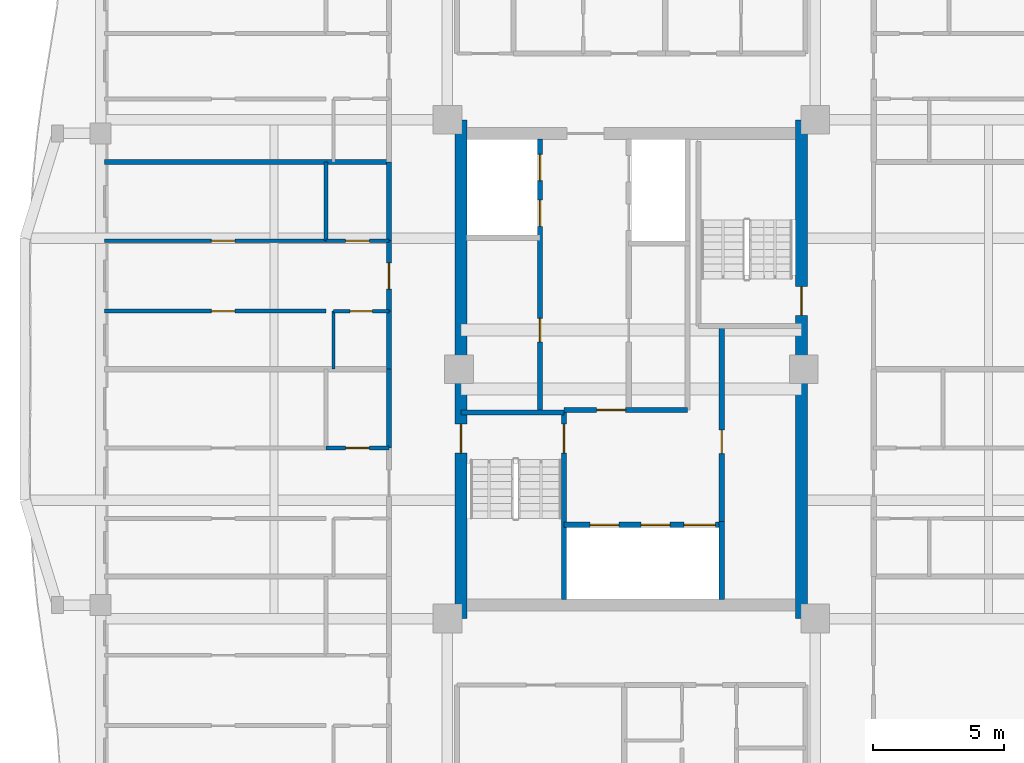
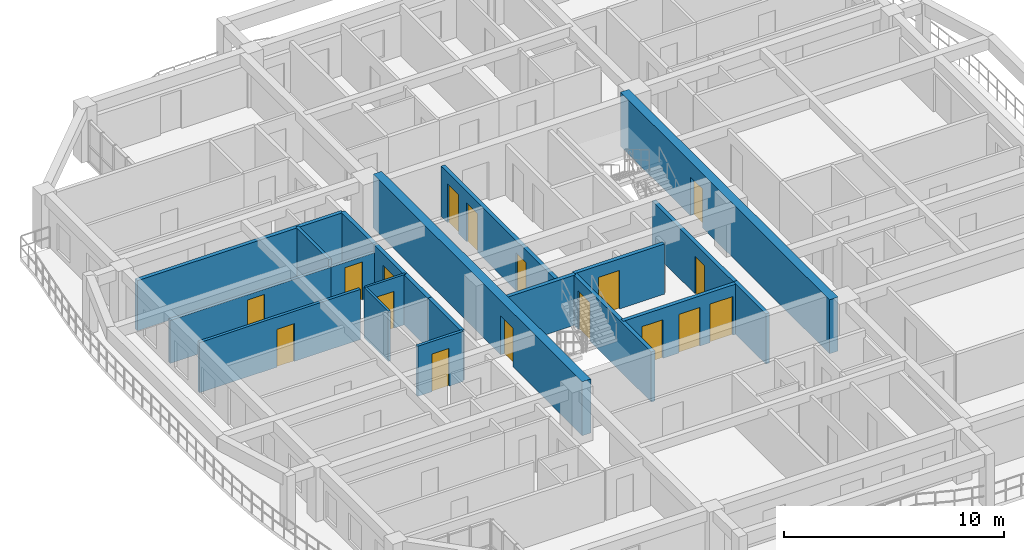
# One storey, part 12 of 21: 21 walls, 17 doors, 17 openings.
"""IFC4 building model written with IfcOpenShell, lengths in metres."""

from ifc_helpers import new_model, si_unit, direction, frame, frame_2d, origin, place, context, subcontext, project, spatial, rectangle, extrude, source, transform, mapped, material, layer, layer_set, type_object, element, fill, save


model = new_model("IFC4")

# Units and contexts
model_context = context("Model", 3, precision=1e-05, world=origin(), true_north=direction((0.0, 1.0)))
body_context = subcontext(model_context, "Body", "Model", "MODEL_VIEW")
ifc_project = project(units=[si_unit("LENGTHUNIT", "METRE"), si_unit("AREAUNIT", "SQUARE_METRE"), si_unit("VOLUMEUNIT", "CUBIC_METRE"), si_unit("PLANEANGLEUNIT", "RADIAN"), si_unit("MASSUNIT", "GRAM", prefix="KILO")], contexts=[model_context])

# Site, building, storey
site_placement = place(None, origin())
site = spatial("IfcSite", under=ifc_project, at=site_placement, CompositionType="ELEMENT")
building_placement = place(site_placement, origin())
building = spatial("IfcBuilding", under=site, at=building_placement, Name="Saelheon Loggia Tower", CompositionType="ELEMENT")
storey_placement = place(building_placement, frame((0.0, 0.0, 186.699951171875)))
storey = spatial("IfcBuildingStorey", under=building, at=storey_placement, Name="L58", CompositionType="ELEMENT", Elevation=186.699951171875)

# Wall, opening, door
ifc_material_1 = material(Name="Concrete C45/55", Category="concrete")
ifc_layer_1 = layer(ifc_material_1, 0.449951171875)
ifc_layer_set_1 = layer_set([ifc_layer_1], Name="Concrete C45/55")
wall_type_1 = type_object("IfcWallType", Name="Wall_CoreShear_450", PredefinedType="SHEAR", material=ifc_layer_set_1)
wall_1_placement = place(storey_placement, frame((31.5, 17.47998046875, 0.0), z_axis=(0.0, 0.0, 1.0), x_axis=(0.0, 1.0, 0.0)))
wall_1 = element("IfcWall", 1, at=wall_1_placement, inside=storey, type_object=wall_type_1, Name="L58 Core Shear Wall West", PredefinedType="SHEAR", context=body_context, shape_type="SweptSolid", body=[
    extrude(rectangle(XDim=19.0400390625, YDim=0.449951171875, at=frame_2d((9.52001953125, 0.0))), origin(), (0.0, 0.0, 1.0), 3.0),
])
opening_1_placement = place(wall_1_placement, frame((6.320068359375, 0.0, 0.0)))
opening_1 = element("IfcOpeningElement", 2, at=opening_1_placement, cuts=wall_1, Name="Opening D-FD2", PredefinedType="OPENING", context=body_context, shape_type="SweptSolid", body=[
    extrude(rectangle(XDim=1.10009765625, YDim=2.14990234375, at=frame_2d((0.550048828125, 1.074951171875))), frame((0.0, 0.237060546875, 0.0), z_axis=(0.0, -1.0, 0.0), x_axis=(1.0, 0.0, 0.0)), (0.0, 0.0, 1.0), 0.473876953125),
])
ifc_material_2 = material(Name="Galvanised Steel Fire Door", Category="steel")
door_type_1 = type_object("IfcDoorType", Name="Door_Fire_FD60_1100", OperationType="NOTDEFINED", PredefinedType="DOOR", material=ifc_material_2)
shared_shape_1 = source(origin(), body_context, "Body", "SweptSolid", [
    extrude(rectangle(XDim=1.10009765625, YDim=2.14990234375, at=frame_2d((0.550048828125, 1.074951171875))), frame((0.0, 0.02490234375, 0.0), z_axis=(0.0, -1.0, 0.0), x_axis=(1.0, 0.0, 0.0)), (0.0, 0.0, 1.0), 0.050048828125),
])
door_1_placement = place(opening_1_placement, origin())
door_1 = element("IfcDoor", 3, at=door_1_placement, inside=storey, type_object=door_type_1, Name="L58 Stair ST1 Corridor Door", OperationType="SINGLE_SWING_LEFT", OverallHeight=2.14990234375, OverallWidth=1.10009765625, PredefinedType="DOOR", context=body_context, shape_type="MappedRepresentation", body=[
    mapped(shared_shape_1, transform((0.0, 0.0, 0.0), scale=1.0)),
])
fill(opening_1, door_1)

wall_2_placement = place(storey_placement, frame((44.5, 17.47998046875, 0.0), z_axis=(0.0, 0.0, 1.0), x_axis=(0.0, 1.0, 0.0)))
wall_2 = element("IfcWall", 4, at=wall_2_placement, inside=storey, type_object=wall_type_1, Name="L58 Core Shear Wall East", PredefinedType="SHEAR", context=body_context, shape_type="SweptSolid", body=[
    extrude(rectangle(XDim=19.0400390625, YDim=0.449951171875, at=frame_2d((9.52001953125, 0.0))), origin(), (0.0, 0.0, 1.0), 3.0),
])
opening_2_placement = place(wall_2_placement, frame((12.670166015625, 0.0, 0.0), z_axis=(0.0, 0.0, 1.0), x_axis=(-1.0, 0.0, 0.0)))
opening_2 = element("IfcOpeningElement", 5, at=opening_2_placement, cuts=wall_2, Name="Opening D-FD2", PredefinedType="OPENING", context=body_context, shape_type="SweptSolid", body=[
    extrude(rectangle(XDim=1.10009765625, YDim=2.14990234375, at=frame_2d((0.550048828125, 1.074951171875))), frame((0.0, 0.237060546875, 0.0), z_axis=(0.0, -1.0, 0.0), x_axis=(1.0, 0.0, 0.0)), (0.0, 0.0, 1.0), 0.473876953125),
])
door_2_placement = place(opening_2_placement, origin())
door_2 = element("IfcDoor", 6, at=door_2_placement, inside=storey, type_object=door_type_1, Name="L58 Stair ST2 Corridor Door", OperationType="SINGLE_SWING_RIGHT", OverallHeight=2.14990234375, OverallWidth=1.10009765625, PredefinedType="DOOR", context=body_context, shape_type="MappedRepresentation", body=[
    mapped(shared_shape_1, transform((0.0, 0.0, 0.0), scale=1.0)),
])
fill(opening_2, door_2)

ifc_material_3 = material(Name="Lightweight Autoclaved Aerated Concrete Block and Acoustic Gypsum", Category="concrete")
ifc_layer_2 = layer(ifc_material_3, 0.14990234375)
ifc_layer_set_2 = layer_set([ifc_layer_2], Name="Lightweight Autoclaved Aerated Concrete Block and Acoustic Gypsum")
wall_type_2 = type_object("IfcWallType", Name="Wall_Part_150", PredefinedType="PARTITIONING", material=ifc_layer_set_2)
wall_3_placement = place(storey_placement, frame((28.75, 23.994140625, 0.0), z_axis=(0.0, 0.0, 1.0), x_axis=(-1.0, 0.0, 0.0)))
wall_3 = element("IfcWall", 7, at=wall_3_placement, inside=storey, type_object=wall_type_2, Name="L58 W Partition U20", PredefinedType="PARTITIONING", context=body_context, shape_type="SweptSolid", body=[
    extrude(rectangle(XDim=2.39990234375, YDim=0.14990234375, at=frame_2d((1.199951171875, 0.0))), origin(), (0.0, 0.0, 1.0), 2.7900390625),
])
opening_3_placement = place(wall_3_placement, frame((0.75, 0.0, 0.0)))
opening_3 = element("IfcOpeningElement", 8, at=opening_3_placement, cuts=wall_3, Name="Opening D-IN2", PredefinedType="OPENING", context=body_context, shape_type="SweptSolid", body=[
    extrude(rectangle(XDim=0.89990234375, YDim=2.10009765625, at=frame_2d((0.449951171875, 1.050048828125))), frame((0.0, 0.0869140625, 0.0), z_axis=(0.0, -1.0, 0.0), x_axis=(1.0, 0.0, 0.0)), (0.0, 0.0, 1.0), 0.173828125),
])
ifc_material_4 = material(Name="Engineered Oak Flush Door", Category="timber")
door_type_2 = type_object("IfcDoorType", Name="Door_Int_900", OperationType="NOTDEFINED", PredefinedType="DOOR", material=ifc_material_4)
shared_shape_2 = source(origin(), body_context, "Body", "SweptSolid", [
    extrude(rectangle(XDim=0.89990234375, YDim=2.10009765625, at=frame_2d((0.449951171875, 1.050048828125))), frame((0.0, 0.02490234375, 0.0), z_axis=(0.0, -1.0, 0.0), x_axis=(1.0, 0.0, 0.0)), (0.0, 0.0, 1.0), 0.050048828125),
])
door_3_placement = place(opening_3_placement, origin())
door_3 = element("IfcDoor", 9, at=door_3_placement, inside=storey, type_object=door_type_2, Name="Unit U05 Dressing Closet Door", OperationType="SINGLE_SWING_RIGHT", OverallHeight=2.10009765625, OverallWidth=0.89990234375, PredefinedType="DOOR", context=body_context, shape_type="MappedRepresentation", body=[
    mapped(shared_shape_2, transform((0.0, 0.0, 0.0), scale=1.0)),
])
fill(opening_3, door_3)

# Wall
wall_4_placement = place(storey_placement, frame((26.35009765625, 31.904296875, 0.0), z_axis=(0.0, 0.0, 1.0), x_axis=(0.0, 1.0, 0.0)))
element("IfcWall", 10, at=wall_4_placement, inside=storey, type_object=wall_type_2, Name="L58 W Partition V27", PredefinedType="PARTITIONING", context=body_context, shape_type="SweptSolid", body=[
    extrude(rectangle(XDim=3.005615234375, YDim=0.14990234375, at=frame_2d((1.5029296875, 0.0))), origin(), (0.0, 0.0, 1.0), 2.7900390625),
])

# Wall, opening, door
wall_5_placement = place(storey_placement, frame((26.35009765625, 29.21484375, 0.0), z_axis=(0.0, 0.0, 1.0), x_axis=(-1.0, 0.0, 0.0)))
wall_5 = element("IfcWall", 11, at=wall_5_placement, inside=storey, type_object=wall_type_2, Name="L58 W Partition U29", PredefinedType="PARTITIONING", context=body_context, shape_type="SweptSolid", body=[
    extrude(rectangle(XDim=8.4501953125, YDim=0.14990234375, at=frame_2d((4.22509765625, 0.0))), origin(), (0.0, 0.0, 1.0), 2.7900390625),
])
opening_4_placement = place(wall_5_placement, frame((3.48046875, 0.0, 0.0)))
opening_4 = element("IfcOpeningElement", 12, at=opening_4_placement, cuts=wall_5, Name="Opening D-IN2", PredefinedType="OPENING", context=body_context, shape_type="SweptSolid", body=[
    extrude(rectangle(XDim=0.89990234375, YDim=2.10009765625, at=frame_2d((0.449951171875, 1.050048828125))), frame((0.0, 0.0869140625, 0.0), z_axis=(0.0, -1.0, 0.0), x_axis=(1.0, 0.0, 0.0)), (0.0, 0.0, 1.0), 0.173828125),
])
door_4_placement = place(opening_4_placement, origin())
door_4 = element("IfcDoor", 13, at=door_4_placement, inside=storey, type_object=door_type_2, Name="Unit U06 Kitchen Door", OperationType="SINGLE_SWING_RIGHT", OverallHeight=2.10009765625, OverallWidth=0.89990234375, PredefinedType="DOOR", context=body_context, shape_type="MappedRepresentation", body=[
    mapped(shared_shape_2, transform((0.0, 0.0, 0.0), scale=1.0)),
])
fill(opening_4, door_4)

wall_6_placement = place(storey_placement, frame((28.75, 31.904296875, 0.0), z_axis=(0.0, 0.0, 1.0), x_axis=(-1.0, 0.0, 0.0)))
wall_6 = element("IfcWall", 14, at=wall_6_placement, inside=storey, type_object=wall_type_2, Name="L58 W Partition U30", PredefinedType="PARTITIONING", context=body_context, shape_type="SweptSolid", body=[
    extrude(rectangle(XDim=2.39990234375, YDim=0.14990234375, at=frame_2d((1.199951171875, 0.0))), origin(), (0.0, 0.0, 1.0), 2.39013671875),
])
opening_5_placement = place(wall_6_placement, frame((0.75, 0.0, 0.0)))
opening_5 = element("IfcOpeningElement", 15, at=opening_5_placement, cuts=wall_6, Name="Opening D-IN2", PredefinedType="OPENING", context=body_context, shape_type="SweptSolid", body=[
    extrude(rectangle(XDim=0.89990234375, YDim=2.10009765625, at=frame_2d((0.449951171875, 1.050048828125))), frame((0.0, 0.0869140625, 0.0), z_axis=(0.0, -1.0, 0.0), x_axis=(1.0, 0.0, 0.0)), (0.0, 0.0, 1.0), 0.173828125),
])
door_5_placement = place(opening_5_placement, origin())
door_5 = element("IfcDoor", 16, at=door_5_placement, inside=storey, type_object=door_type_2, Name="Unit U06 Dressing Closet Door", OperationType="SINGLE_SWING_LEFT", OverallHeight=2.10009765625, OverallWidth=0.89990234375, PredefinedType="DOOR", context=body_context, shape_type="MappedRepresentation", body=[
    mapped(shared_shape_2, transform((0.0, 0.0, 0.0), scale=1.0)),
])
fill(opening_5, door_5)

wall_7_placement = place(storey_placement, frame((26.35009765625, 31.904296875, 0.0), z_axis=(0.0, 0.0, 1.0), x_axis=(-1.0, 0.0, 0.0)))
wall_7 = element("IfcWall", 17, at=wall_7_placement, inside=storey, type_object=wall_type_2, Name="L58 W Partition U31", PredefinedType="PARTITIONING", context=body_context, shape_type="SweptSolid", body=[
    extrude(rectangle(XDim=8.4501953125, YDim=0.14990234375, at=frame_2d((4.22509765625, 0.0))), origin(), (0.0, 0.0, 1.0), 2.39013671875),
])
opening_6_placement = place(wall_7_placement, frame((3.48046875, 0.0, 0.0)))
opening_6 = element("IfcOpeningElement", 18, at=opening_6_placement, cuts=wall_7, Name="Opening D-IN2", PredefinedType="OPENING", context=body_context, shape_type="SweptSolid", body=[
    extrude(rectangle(XDim=0.89990234375, YDim=2.10009765625, at=frame_2d((0.449951171875, 1.050048828125))), frame((0.0, 0.0869140625, 0.0), z_axis=(0.0, -1.0, 0.0), x_axis=(1.0, 0.0, 0.0)), (0.0, 0.0, 1.0), 0.173828125),
])
door_6_placement = place(opening_6_placement, origin())
door_6 = element("IfcDoor", 19, at=door_6_placement, inside=storey, type_object=door_type_2, Name="Unit U06 Bedroom 1 Door", OperationType="SINGLE_SWING_RIGHT", OverallHeight=2.10009765625, OverallWidth=0.89990234375, PredefinedType="DOOR", context=body_context, shape_type="MappedRepresentation", body=[
    mapped(shared_shape_2, transform((0.0, 0.0, 0.0), scale=1.0)),
])
fill(opening_6, door_6)

# Walls
ifc_material_5 = material(Name="Double Acoustic Stud and Fireboard Partition", Category="gypsum")
ifc_layer_3 = layer(ifc_material_5, 0.199951171875)
ifc_layer_set_3 = layer_set([ifc_layer_3], Name="Double Acoustic Stud and Fireboard Partition")
wall_type_3 = type_object("IfcWallType", Name="Wall_Party_200", PredefinedType="PARTITIONING", material=ifc_layer_set_3)
wall_8_placement = place(storey_placement, frame((28.75, 23.994140625, 0.0), z_axis=(0.0, 0.0, 1.0), x_axis=(0.0, 1.0, 0.0)))
element("IfcWall", 20, at=wall_8_placement, inside=storey, type_object=wall_type_3, Name="L58 W Partition V15", PredefinedType="PARTITIONING", context=body_context, shape_type="SweptSolid", body=[
    extrude(rectangle(XDim=3.005859375, YDim=0.199951171875, at=frame_2d((1.5029296875, 0.0))), origin(), (0.0, 0.0, 1.0), 2.7900390625),
])
wall_9_placement = place(storey_placement, frame((28.75, 27.0, 0.0), z_axis=(0.0, 0.0, 1.0), x_axis=(0.0, 1.0, 0.0)))
element("IfcWall", 21, at=wall_9_placement, inside=storey, type_object=wall_type_3, Name="L58 W Partition V23", PredefinedType="PARTITIONING", context=body_context, shape_type="SweptSolid", body=[
    extrude(rectangle(XDim=2.21484375, YDim=0.199951171875, at=frame_2d((1.107421875, 0.0))), origin(), (0.0, 0.0, 1.0), 2.7900390625),
])

# Wall, opening, door
wall_10_placement = place(storey_placement, frame((28.75, 29.21484375, 0.0), z_axis=(0.0, 0.0, 1.0), x_axis=(0.0, 1.0, 0.0)))
wall_10 = element("IfcWall", 22, at=wall_10_placement, inside=storey, type_object=wall_type_3, Name="L58 W Partition V24", PredefinedType="PARTITIONING", context=body_context, shape_type="SweptSolid", body=[
    extrude(rectangle(XDim=2.689453125, YDim=0.199951171875, at=frame_2d((1.3447265625, 0.0))), origin(), (0.0, 0.0, 1.0), 2.7900390625),
])
opening_7_placement = place(wall_10_placement, frame((0.8447265625, 0.0, 0.0)))
opening_7 = element("IfcOpeningElement", 23, at=opening_7_placement, cuts=wall_10, Name="Opening D-FD1", PredefinedType="OPENING", context=body_context, shape_type="SweptSolid", body=[
    extrude(rectangle(XDim=1.0, YDim=2.14990234375, at=frame_2d((0.5, 1.074951171875))), frame((0.0, 0.112060546875, 0.0), z_axis=(0.0, -1.0, 0.0), x_axis=(1.0, 0.0, 0.0)), (0.0, 0.0, 1.0), 0.223876953125),
])
ifc_material_6 = material(Name="Fire-Rated Engineered Timber Entrance Door", Category="wood")
door_type_3 = type_object("IfcDoorType", Name="Door_Flat_FD30S", OperationType="NOTDEFINED", PredefinedType="DOOR", material=ifc_material_6)
shared_shape_3 = source(origin(), body_context, "Body", "SweptSolid", [
    extrude(rectangle(XDim=1.0, YDim=2.14990234375, at=frame_2d((0.5, 1.074951171875))), frame((0.0, 0.02490234375, 0.0), z_axis=(0.0, -1.0, 0.0), x_axis=(1.0, 0.0, 0.0)), (0.0, 0.0, 1.0), 0.050048828125),
])
door_7_placement = place(opening_7_placement, origin())
door_7 = element("IfcDoor", 24, at=door_7_placement, inside=storey, type_object=door_type_3, Name="Unit U06 Entrance Door", OperationType="SINGLE_SWING_RIGHT", OverallHeight=2.14990234375, OverallWidth=1.0, PredefinedType="DOOR", context=body_context, shape_type="MappedRepresentation", body=[
    mapped(shared_shape_3, transform((0.0, 0.0, 0.0), scale=1.0)),
])
fill(opening_7, door_7)

# Walls
wall_11_placement = place(storey_placement, frame((28.75, 31.904296875, 0.0), z_axis=(0.0, 0.0, 1.0), x_axis=(0.0, 1.0, 0.0)))
element("IfcWall", 25, at=wall_11_placement, inside=storey, type_object=wall_type_3, Name="L58 W Partition V25", PredefinedType="PARTITIONING", context=body_context, shape_type="SweptSolid", body=[
    extrude(rectangle(XDim=3.005615234375, YDim=0.199951171875, at=frame_2d((1.5029296875, 0.0))), origin(), (0.0, 0.0, 1.0), 2.7900390625),
])
wall_12_placement = place(storey_placement, frame((28.75, 34.909912109375, 0.0), z_axis=(0.0, 0.0, 1.0), x_axis=(-1.0, 0.0, 0.0)))
element("IfcWall", 26, at=wall_12_placement, inside=storey, type_object=wall_type_3, Name="L58 W Partition U32", PredefinedType="PARTITIONING", context=body_context, shape_type="SweptSolid", body=[
    extrude(rectangle(XDim=10.85009765625, YDim=0.199951171875, at=frame_2d((5.425048828125, 0.0))), origin(), (0.0, 0.0, 1.0), 2.7900390625),
])
ifc_material_7 = material(Name="Concrete C40/50", Category="concrete")
ifc_layer_4 = layer(ifc_material_7, 0.199951171875)
ifc_layer_set_4 = layer_set([ifc_layer_4], Name="Concrete C40/50")
wall_type_4 = type_object("IfcWallType", Name="Wall_Shaft_200", PredefinedType="PARTITIONING", material=ifc_layer_set_4)
wall_13_placement = place(storey_placement, frame((41.449951171875, 18.219970703125, 0.0), z_axis=(0.0, 0.0, 1.0), x_axis=(0.0, 1.0, 0.0)))
element("IfcWall", 27, at=wall_13_placement, inside=storey, type_object=wall_type_4, Name="CW-INT-L58-BOH-W0", PredefinedType="PARTITIONING", context=body_context, shape_type="SweptSolid", body=[
    extrude(rectangle(XDim=2.9599609375, YDim=0.199951171875, at=frame_2d((1.47998046875, 0.0))), origin(), (0.0, 0.0, 1.0), 2.7900390625),
])

# Wall, opening, door
wall_14_placement = place(storey_placement, frame((41.449951171875, 21.179931640625, 0.0), z_axis=(0.0, 0.0, 1.0), x_axis=(0.0, 1.0, 0.0)))
wall_14 = element("IfcWall", 28, at=wall_14_placement, inside=storey, type_object=wall_type_4, Name="CW-INT-L58-BOH-W1", PredefinedType="PARTITIONING", context=body_context, shape_type="SweptSolid", body=[
    extrude(rectangle(XDim=7.420166015625, YDim=0.199951171875, at=frame_2d((3.7099609375, 0.0))), origin(), (0.0, 0.0, 1.0), 2.7900390625),
])
opening_8_placement = place(wall_14_placement, frame((2.60009765625, 0.0, 0.0)))
opening_8 = element("IfcOpeningElement", 29, at=opening_8_placement, cuts=wall_14, Name="Opening D-RS1", PredefinedType="OPENING", context=body_context, shape_type="SweptSolid", body=[
    extrude(rectangle(XDim=0.89990234375, YDim=2.10009765625, at=frame_2d((0.449951171875, 1.050048828125))), frame((0.0, 0.112060546875, 0.0), z_axis=(0.0, -1.0, 0.0), x_axis=(1.0, 0.0, 0.0)), (0.0, 0.0, 1.0), 0.223876953125),
])
ifc_material_8 = material(Name="Galvanised Steel Riser Access Door", Category="steel")
door_type_4 = type_object("IfcDoorType", Name="Door_Riser_FD60", OperationType="NOTDEFINED", PredefinedType="DOOR", material=ifc_material_8)
door_8_placement = place(opening_8_placement, origin())
door_8 = element("IfcDoor", 30, at=door_8_placement, inside=storey, type_object=door_type_4, Name="L58 Core Service Store Door", OperationType="SINGLE_SWING_RIGHT", OverallHeight=2.10009765625, OverallWidth=0.89990234375, PredefinedType="DOOR", context=body_context, shape_type="MappedRepresentation", body=[
    mapped(shared_shape_2, transform((0.0, 0.0, 0.0), scale=1.0)),
])
fill(opening_8, door_8)

# Wall, openings, doors
wall_15_placement = place(storey_placement, frame((35.429931640625, 21.06005859375, 0.0), z_axis=(0.0, 0.0, 1.0), x_axis=(1.0, 0.0, 0.0)))
wall_15 = element("IfcWall", 31, at=wall_15_placement, inside=storey, type_object=wall_type_4, Name="L58 Firefighting Lift Shaft Front Wall", PredefinedType="PARTITIONING", context=body_context, shape_type="SweptSolid", body=[
    extrude(rectangle(XDim=6.02001953125, YDim=0.199951171875, at=frame_2d((3.010009765625, 0.0))), origin(), (0.0, 0.0, 1.0), 2.7900390625),
])
opening_9_placement = place(wall_15_placement, frame((1.0, 0.0, 0.0)))
opening_9 = element("IfcOpeningElement", 32, at=opening_9_placement, cuts=wall_15, Name="Opening LD2", PredefinedType="OPENING", context=body_context, shape_type="SweptSolid", body=[
    extrude(rectangle(XDim=1.10009765625, YDim=2.14990234375, at=frame_2d((0.550048828125, 1.074951171875))), frame((0.0, 0.112060546875, 0.0), z_axis=(0.0, -1.0, 0.0), x_axis=(1.0, 0.0, 0.0)), (0.0, 0.0, 1.0), 0.223876953125),
])
opening_10_placement = place(wall_15_placement, frame((2.949951171875, 0.0, 0.0)))
opening_10 = element("IfcOpeningElement", 33, at=opening_10_placement, cuts=wall_15, Name="Opening LD2", PredefinedType="OPENING", context=body_context, shape_type="SweptSolid", body=[
    extrude(rectangle(XDim=1.10009765625, YDim=2.14990234375, at=frame_2d((0.550048828125, 1.074951171875))), frame((0.0, 0.112060546875, 0.0), z_axis=(0.0, -1.0, 0.0), x_axis=(1.0, 0.0, 0.0)), (0.0, 0.0, 1.0), 0.223876953125),
])
opening_11_placement = place(wall_15_placement, frame((4.580078125, 0.0, 0.0)))
opening_11 = element("IfcOpeningElement", 34, at=opening_11_placement, cuts=wall_15, Name="Opening LD3", PredefinedType="OPENING", context=body_context, shape_type="SweptSolid", body=[
    extrude(rectangle(XDim=1.199951171875, YDim=2.14990234375, at=frame_2d((0.60009765625, 1.074951171875))), frame((0.0, 0.112060546875, 0.0), z_axis=(0.0, -1.0, 0.0), x_axis=(1.0, 0.0, 0.0)), (0.0, 0.0, 1.0), 0.223876953125),
])
ifc_material_9 = material(Name="Firefighting Stainless Steel 316 Landing Door", Category="steel")
door_type_5 = type_object("IfcDoorType", Name="Door_Lift_LD2", OperationType="DOUBLE_DOOR_SLIDING", PredefinedType="DOOR", material=ifc_material_9)
door_9_placement = place(opening_9_placement, origin())
door_9 = element("IfcDoor", 35, at=door_9_placement, inside=storey, type_object=door_type_5, Name="L58 FF1 Landing Door", OperationType="DOUBLE_DOOR_SLIDING", OverallHeight=2.14990234375, OverallWidth=1.10009765625, PredefinedType="DOOR", context=body_context, shape_type="MappedRepresentation", body=[
    mapped(shared_shape_1, transform((0.0, 0.0, 0.0), scale=1.0)),
])
fill(opening_9, door_9)
door_10_placement = place(opening_10_placement, origin())
door_10 = element("IfcDoor", 36, at=door_10_placement, inside=storey, type_object=door_type_5, Name="L58 FF2 Landing Door", OperationType="DOUBLE_DOOR_SLIDING", OverallHeight=2.14990234375, OverallWidth=1.10009765625, PredefinedType="DOOR", context=body_context, shape_type="MappedRepresentation", body=[
    mapped(shared_shape_1, transform((0.0, 0.0, 0.0), scale=1.0)),
])
fill(opening_10, door_10)
ifc_material_10 = material(Name="Stretcher Lift Stainless Steel 304 Landing Door", Category="steel")
door_type_6 = type_object("IfcDoorType", Name="Door_Lift_LD3", OperationType="DOUBLE_DOOR_SLIDING", PredefinedType="DOOR", material=ifc_material_10)
shared_shape_4 = source(origin(), body_context, "Body", "SweptSolid", [
    extrude(rectangle(XDim=1.199951171875, YDim=2.14990234375, at=frame_2d((0.60009765625, 1.074951171875))), frame((0.0, 0.02490234375, 0.0), z_axis=(0.0, -1.0, 0.0), x_axis=(1.0, 0.0, 0.0)), (0.0, 0.0, 1.0), 0.050048828125),
])
door_11_placement = place(opening_11_placement, origin())
door_11 = element("IfcDoor", 37, at=door_11_placement, inside=storey, type_object=door_type_6, Name="L58 SV1 Landing Door", OperationType="DOUBLE_DOOR_SLIDING", OverallHeight=2.14990234375, OverallWidth=1.199951171875, PredefinedType="DOOR", context=body_context, shape_type="MappedRepresentation", body=[
    mapped(shared_shape_4, transform((0.0, 0.0, 0.0), scale=1.0)),
])
fill(opening_11, door_11)

# Wall, opening, door
wall_16_placement = place(storey_placement, frame((35.429931640625, 25.43994140625, 0.0), z_axis=(0.0, 0.0, 1.0), x_axis=(1.0, 0.0, 0.0)))
wall_16 = element("IfcWall", 38, at=wall_16_placement, inside=storey, type_object=wall_type_4, Name="L58 Firefighting Lobby Compartment Wall", PredefinedType="PARTITIONING", context=body_context, shape_type="SweptSolid", body=[
    extrude(rectangle(XDim=4.719970703125, YDim=0.199951171875, at=frame_2d((2.35986328125, 0.0))), origin(), (0.0, 0.0, 1.0), 2.7900390625),
])
opening_12_placement = place(wall_16_placement, frame((1.25, 0.0, 0.0)))
opening_12 = element("IfcOpeningElement", 39, at=opening_12_placement, cuts=wall_16, Name="Opening D-FD2", PredefinedType="OPENING", context=body_context, shape_type="SweptSolid", body=[
    extrude(rectangle(XDim=1.10009765625, YDim=2.14990234375, at=frame_2d((0.550048828125, 1.074951171875))), frame((0.0, 0.112060546875, 0.0), z_axis=(0.0, -1.0, 0.0), x_axis=(1.0, 0.0, 0.0)), (0.0, 0.0, 1.0), 0.223876953125),
])
door_12_placement = place(opening_12_placement, origin())
door_12 = element("IfcDoor", 40, at=door_12_placement, inside=storey, type_object=door_type_1, Name="L58 Firefighting Lobby Door", OperationType="SINGLE_SWING_LEFT", OverallHeight=2.14990234375, OverallWidth=1.10009765625, PredefinedType="DOOR", context=body_context, shape_type="MappedRepresentation", body=[
    mapped(shared_shape_1, transform((0.0, 0.0, 0.0), scale=1.0)),
])
fill(opening_12, door_12)

# Wall, openings, doors
wall_17_placement = place(storey_placement, frame((34.52001953125, 25.43994140625, 0.0), z_axis=(0.0, 0.0, 1.0), x_axis=(0.0, 1.0, 0.0)))
wall_17 = element("IfcWall", 41, at=wall_17_placement, inside=storey, type_object=wall_type_4, Name="L58 West Passenger Lift Bank Wall", PredefinedType="PARTITIONING", context=body_context, shape_type="SweptSolid", body=[
    extrude(rectangle(XDim=10.340087890625, YDim=0.199951171875, at=frame_2d((5.169921875, 0.0))), origin(), (0.0, 0.0, 1.0), 2.7900390625),
])
opening_13_placement = place(wall_17_placement, frame((2.60009765625, 0.0, 0.0)))
opening_13 = element("IfcOpeningElement", 42, at=opening_13_placement, cuts=wall_17, Name="Opening D-RS1", PredefinedType="OPENING", context=body_context, shape_type="SweptSolid", body=[
    extrude(rectangle(XDim=0.89990234375, YDim=2.10009765625, at=frame_2d((0.449951171875, 1.050048828125))), frame((0.0, 0.112060546875, 0.0), z_axis=(0.0, -1.0, 0.0), x_axis=(1.0, 0.0, 0.0)), (0.0, 0.0, 1.0), 0.223876953125),
])
opening_14_placement = place(wall_17_placement, frame((7.010009765625, 0.0, 0.0)))
opening_14 = element("IfcOpeningElement", 43, at=opening_14_placement, cuts=wall_17, Name="Opening LD1", PredefinedType="OPENING", context=body_context, shape_type="SweptSolid", body=[
    extrude(rectangle(XDim=1.0, YDim=2.14990234375, at=frame_2d((0.5, 1.074951171875))), frame((0.0, 0.112060546875, 0.0), z_axis=(0.0, -1.0, 0.0), x_axis=(1.0, 0.0, 0.0)), (0.0, 0.0, 1.0), 0.223876953125),
])
opening_15_placement = place(wall_17_placement, frame((8.760009765625, 0.0, 0.0)))
opening_15 = element("IfcOpeningElement", 44, at=opening_15_placement, cuts=wall_17, Name="Opening LD1", PredefinedType="OPENING", context=body_context, shape_type="SweptSolid", body=[
    extrude(rectangle(XDim=1.0, YDim=2.14990234375, at=frame_2d((0.5, 1.074951171875))), frame((0.0, 0.112060546875, 0.0), z_axis=(0.0, -1.0, 0.0), x_axis=(1.0, 0.0, 0.0)), (0.0, 0.0, 1.0), 0.223876953125),
])
door_13_placement = place(opening_13_placement, origin())
door_13 = element("IfcDoor", 45, at=door_13_placement, inside=storey, type_object=door_type_4, Name="L58 Core Parcel Room Door", OperationType="SINGLE_SWING_LEFT", OverallHeight=2.10009765625, OverallWidth=0.89990234375, PredefinedType="DOOR", context=body_context, shape_type="MappedRepresentation", body=[
    mapped(shared_shape_2, transform((0.0, 0.0, 0.0), scale=1.0)),
])
fill(opening_13, door_13)
ifc_material_11 = material(Name="Brushed Stainless Steel 304 Landing Door", Category="steel")
door_type_7 = type_object("IfcDoorType", Name="Door_Lift_LD1", OperationType="DOUBLE_DOOR_SLIDING", PredefinedType="DOOR", material=ifc_material_11)
door_14_placement = place(opening_14_placement, origin())
door_14 = element("IfcDoor", 46, at=door_14_placement, inside=storey, type_object=door_type_7, Name="L58 PH1 Landing Door", OperationType="DOUBLE_DOOR_SLIDING", OverallHeight=2.14990234375, OverallWidth=1.0, PredefinedType="DOOR", context=body_context, shape_type="MappedRepresentation", body=[
    mapped(shared_shape_3, transform((0.0, 0.0, 0.0), scale=1.0)),
])
fill(opening_14, door_14)
door_15_placement = place(opening_15_placement, origin())
door_15 = element("IfcDoor", 47, at=door_15_placement, inside=storey, type_object=door_type_7, Name="L58 PH2 Landing Door", OperationType="DOUBLE_DOOR_SLIDING", OverallHeight=2.14990234375, OverallWidth=1.0, PredefinedType="DOOR", context=body_context, shape_type="MappedRepresentation", body=[
    mapped(shared_shape_3, transform((0.0, 0.0, 0.0), scale=1.0)),
])
fill(opening_15, door_15)

# Wall, opening, door
ifc_layer_5 = layer(ifc_material_1, 0.199951171875)
ifc_layer_set_5 = layer_set([ifc_layer_5], Name="Concrete C45/55")
wall_type_5 = type_object("IfcWallType", Name="Wall_StairShaft_RC200", PredefinedType="SOLIDWALL", material=ifc_layer_set_5)
wall_18_placement = place(storey_placement, frame((35.429931640625, 18.219970703125, 0.0), z_axis=(0.0, 0.0, 1.0), x_axis=(0.0, 1.0, 0.0)))
wall_18 = element("IfcWall", 48, at=wall_18_placement, inside=storey, type_object=wall_type_5, Name="L58 Stair ST1 Shaft Wall", PredefinedType="SOLIDWALL", context=body_context, shape_type="SweptSolid", body=[
    extrude(rectangle(XDim=7.219970703125, YDim=0.199951171875, at=frame_2d((3.60986328125, 0.0))), origin(), (0.0, 0.0, 1.0), 2.7900390625),
])
opening_16_placement = place(wall_18_placement, frame((6.68017578125, 0.0, 0.0), z_axis=(0.0, 0.0, 1.0), x_axis=(-1.0, 0.0, 0.0)))
opening_16 = element("IfcOpeningElement", 49, at=opening_16_placement, cuts=wall_18, Name="Opening D-FD2", PredefinedType="OPENING", context=body_context, shape_type="SweptSolid", body=[
    extrude(rectangle(XDim=1.10009765625, YDim=2.14990234375, at=frame_2d((0.550048828125, 1.074951171875))), frame((0.0, 0.112060546875, 0.0), z_axis=(0.0, -1.0, 0.0), x_axis=(1.0, 0.0, 0.0)), (0.0, 0.0, 1.0), 0.223876953125),
])
door_16_placement = place(opening_16_placement, origin())
door_16 = element("IfcDoor", 50, at=door_16_placement, inside=storey, type_object=door_type_1, Name="L58 Stair ST1 Lobby Door", OperationType="SINGLE_SWING_RIGHT", OverallHeight=2.14990234375, OverallWidth=1.10009765625, PredefinedType="DOOR", context=body_context, shape_type="MappedRepresentation", body=[
    mapped(shared_shape_1, transform((0.0, 0.0, 0.0), scale=1.0)),
])
fill(opening_16, door_16)

# Walls
wall_19_placement = place(storey_placement, frame((31.5, 25.35009765625, 0.0), z_axis=(0.0, 0.0, 1.0), x_axis=(1.0, 0.0, 0.0)))
element("IfcWall", 51, at=wall_19_placement, inside=storey, type_object=wall_type_5, Name="L58 Stair ST1 North Wall", PredefinedType="SOLIDWALL", context=body_context, shape_type="SweptSolid", body=[
    extrude(rectangle(XDim=3.929931640625, YDim=0.199951171875, at=frame_2d((1.96484375, 0.0))), origin(), (0.0, 0.0, 1.0), 2.7900390625),
])
ifc_material_12 = material(Name="Moisture-Resistant Cement Board Partition", Category="gypsum")
ifc_layer_6 = layer(ifc_material_12, 0.1201171875)
ifc_layer_set_6 = layer_set([ifc_layer_6], Name="Moisture-Resistant Cement Board Partition")
wall_type_6 = type_object("IfcWallType", Name="Wall_WetPart_120", PredefinedType="PARTITIONING", material=ifc_layer_set_6)
wall_20_placement = place(storey_placement, frame((26.6298828125, 27.0, 0.0), z_axis=(0.0, 0.0, 1.0), x_axis=(0.0, 1.0, 0.0)))
element("IfcWall", 52, at=wall_20_placement, inside=storey, type_object=wall_type_6, Name="L58 W Partition V26", PredefinedType="PARTITIONING", context=body_context, shape_type="SweptSolid", body=[
    extrude(rectangle(XDim=2.21484375, YDim=0.1201171875, at=frame_2d((1.107421875, 0.0))), origin(), (0.0, 0.0, 1.0), 2.7900390625),
])

# Wall, opening, door
wall_21_placement = place(storey_placement, frame((28.75, 29.21484375, 0.0), z_axis=(0.0, 0.0, 1.0), x_axis=(-1.0, 0.0, 0.0)))
wall_21 = element("IfcWall", 53, at=wall_21_placement, inside=storey, type_object=wall_type_6, Name="L58 W Partition U28", PredefinedType="PARTITIONING", context=body_context, shape_type="SweptSolid", body=[
    extrude(rectangle(XDim=2.1201171875, YDim=0.1201171875, at=frame_2d((1.06005859375, 0.0))), origin(), (0.0, 0.0, 1.0), 2.7900390625),
])
opening_17_placement = place(wall_21_placement, frame((0.635009765625, 0.0, 0.0)))
opening_17 = element("IfcOpeningElement", 54, at=opening_17_placement, cuts=wall_21, Name="Opening D-BT1", PredefinedType="OPENING", context=body_context, shape_type="SweptSolid", body=[
    extrude(rectangle(XDim=0.85009765625, YDim=2.050048828125, at=frame_2d((0.425048828125, 1.02490234375))), frame((0.0, 0.072021484375, 0.0), z_axis=(0.0, -1.0, 0.0), x_axis=(1.0, 0.0, 0.0)), (0.0, 0.0, 1.0), 0.14404296875),
])
ifc_material_13 = material(Name="Moisture-Resistant Laminate Timber Door", Category="wood")
door_type_8 = type_object("IfcDoorType", Name="Door_Bath_850", OperationType="NOTDEFINED", PredefinedType="DOOR", material=ifc_material_13)
shared_shape_5 = source(origin(), body_context, "Body", "SweptSolid", [
    extrude(rectangle(XDim=0.85009765625, YDim=2.050048828125, at=frame_2d((0.425048828125, 1.02490234375))), frame((0.0, 0.02490234375, 0.0), z_axis=(0.0, -1.0, 0.0), x_axis=(1.0, 0.0, 0.0)), (0.0, 0.0, 1.0), 0.050048828125),
])
door_17_placement = place(opening_17_placement, origin())
door_17 = element("IfcDoor", 55, at=door_17_placement, inside=storey, type_object=door_type_8, Name="Unit U06 Bathroom Door", OperationType="SINGLE_SWING_LEFT", OverallHeight=2.050048828125, OverallWidth=0.85009765625, PredefinedType="DOOR", context=body_context, shape_type="MappedRepresentation", body=[
    mapped(shared_shape_5, transform((0.0, 0.0, 0.0), scale=1.0)),
])
fill(opening_17, door_17)

save(model, "model.ifc")
